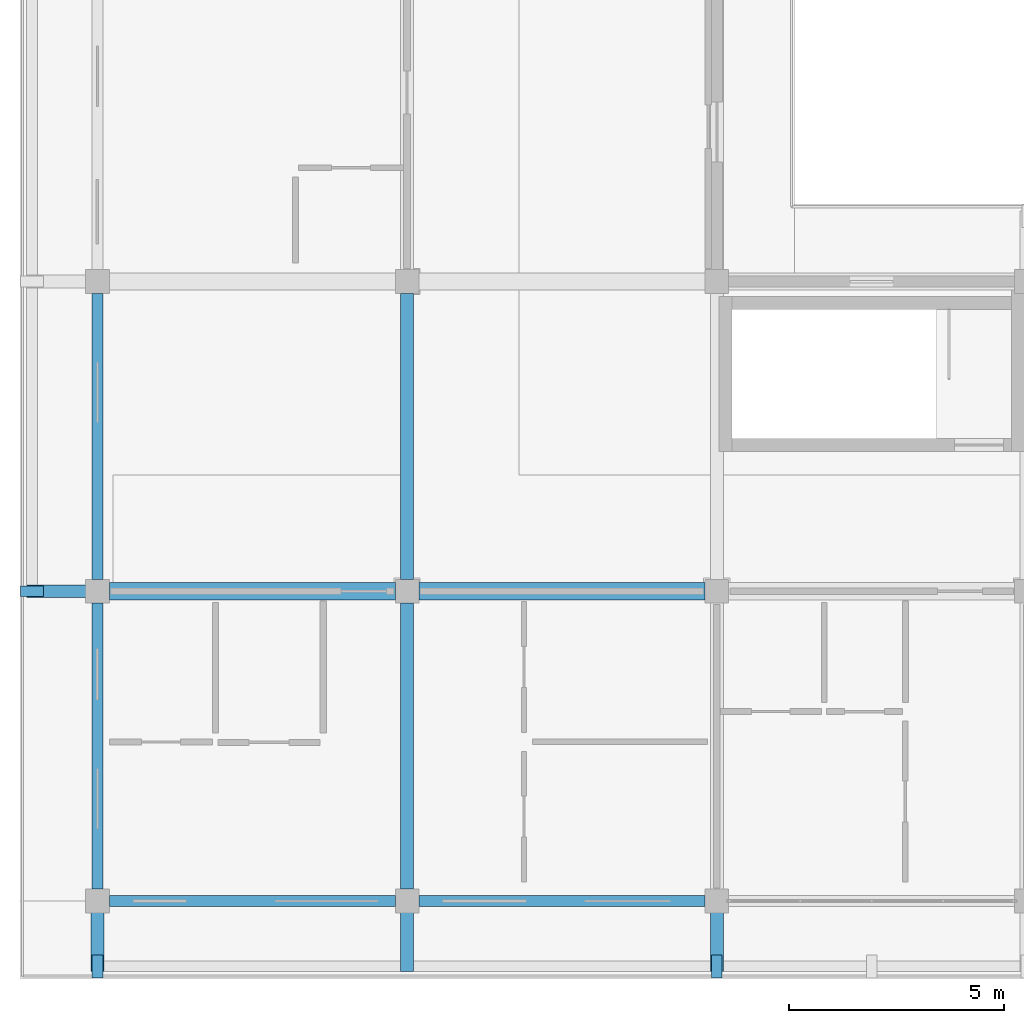
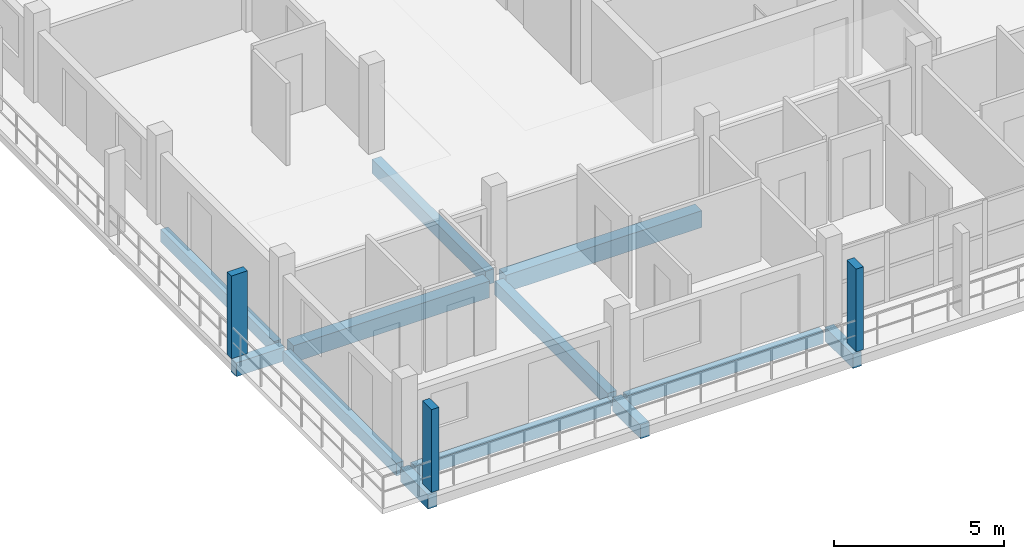
# One storey, part 3 of 65: 12 beams, 3 members.
"""IFC4 building model written with IfcOpenShell, lengths in metres."""

from ifc_helpers import new_model, si_unit, direction, frame, origin, origin_2d, place, context, subcontext, project, spatial, rectangle, extrude, material, material_profile, profile_set, type_object, element, save


model = new_model("IFC4")

# Units and contexts
model_context = context("Model", 3, precision=1e-05, world=origin(), true_north=direction((0.0, 1.0)))
body_context = subcontext(model_context, "Body", "Model", "MODEL_VIEW")
ifc_project = project(units=[si_unit("LENGTHUNIT", "METRE"), si_unit("AREAUNIT", "SQUARE_METRE"), si_unit("VOLUMEUNIT", "CUBIC_METRE"), si_unit("PLANEANGLEUNIT", "RADIAN"), si_unit("MASSUNIT", "GRAM", prefix="KILO")], contexts=[model_context])

# Site, building, storey
site_placement = place(None, origin())
site = spatial("IfcSite", under=ifc_project, at=site_placement, CompositionType="ELEMENT")
building_placement = place(site_placement, origin())
building = spatial("IfcBuilding", under=site, at=building_placement, Name="Suanplinth Sawtooth Commons", CompositionType="ELEMENT")
storey_placement = place(building_placement, frame((0.0, 0.0, 28.300048828125)))
storey = spatial("IfcBuildingStorey", under=building, at=storey_placement, Name="L08", CompositionType="ELEMENT", Elevation=28.300048828125)

# Beams
ifc_material_1 = material(Name="Precast concrete C40/50", Category="concrete")
ifc_material_profile_1 = material_profile(ifc_material_1, rectangle(XDim=0.39990234375, YDim=0.60009765625, at=origin_2d()), Name="PC-GDR 400x600")
ifc_profile_set_1 = profile_set([ifc_material_profile_1], Name="Precast concrete C40/50")
beam_type_1 = type_object("IfcBeamType", Name="B-05", PredefinedType="USERDEFINED", material=ifc_profile_set_1)
beam_1_placement = place(storey_placement, frame((0.27490234375, 7.199951171875, -0.510009765625), z_axis=(1.0, 0.0, 0.0), x_axis=(0.0, 1.0, 0.0)))
element("IfcBeam", 1, at=beam_1_placement, inside=storey, type_object=beam_type_1, Name="BMX-L08-D-0-1", ObjectType="GIRDER", PredefinedType="USERDEFINED", context=body_context, shape_type="SweptSolid", body=[
    extrude(rectangle(XDim=0.39990234375, YDim=0.60009765625, at=origin_2d()), origin(), (0.0, 0.0, 1.0), 6.650146484375),
])
beam_2_placement = place(storey_placement, frame((7.47509765625, 7.199951171875, -0.510009765625), z_axis=(1.0, 0.0, 0.0), x_axis=(0.0, 1.0, 0.0)))
element("IfcBeam", 2, at=beam_2_placement, inside=storey, type_object=beam_type_1, Name="BMX-L08-D-1-1", ObjectType="GIRDER", PredefinedType="USERDEFINED", context=body_context, shape_type="SweptSolid", body=[
    extrude(rectangle(XDim=0.39990234375, YDim=0.60009765625, at=origin_2d()), origin(), (0.0, 0.0, 1.0), 6.64990234375),
])
ifc_material_profile_2 = material_profile(ifc_material_1, rectangle(XDim=0.300048828125, YDim=0.5, at=origin_2d()), Name="PC-BM 300x500")
ifc_profile_set_2 = profile_set([ifc_material_profile_2], Name="Precast concrete C40/50")
beam_type_2 = type_object("IfcBeamType", Name="B-07", PredefinedType="BEAM", material=ifc_profile_set_2)
beam_3_placement = place(storey_placement, frame((7.199951171875, 0.27490234375, -0.4599609375), z_axis=(0.0, 1.0, 0.0), x_axis=(-1.0, 0.0, 0.0)))
element("IfcBeam", 3, at=beam_3_placement, inside=storey, type_object=beam_type_2, Name="BMY-L08-D-1-0", PredefinedType="BEAM", context=body_context, shape_type="SweptSolid", body=[
    extrude(rectangle(XDim=0.300048828125, YDim=0.5, at=origin_2d()), origin(), (0.0, 0.0, 1.0), 6.650146484375),
])
beam_4_placement = place(storey_placement, frame((7.199951171875, 7.47509765625, -0.4599609375), z_axis=(0.0, 1.0, 0.0), x_axis=(-1.0, 0.0, 0.0)))
element("IfcBeam", 4, at=beam_4_placement, inside=storey, type_object=beam_type_2, Name="BMY-L08-D-1-1", PredefinedType="BEAM", context=body_context, shape_type="SweptSolid", body=[
    extrude(rectangle(XDim=0.300048828125, YDim=0.5, at=origin_2d()), origin(), (0.0, 0.0, 1.0), 6.64990234375),
])
for number, where, z_axis, x_axis, name in (
    (5, (0.0, 0.0, -0.429931640625), (0.0, -1.0, 0.0), (1.0, 0.0, 0.0), "Balcony Outrigger L08-D-S-0"),
    (6, (7.199951171875, 0.0, -0.429931640625), (0.0, -1.0, 0.0), (1.0, 0.0, 0.0), "Balcony Outrigger L08-D-S-1"),
    (7, (14.39990234375, 0.0, -0.429931640625), (0.0, -1.0, 0.0), (1.0, 0.0, 0.0), "Balcony Outrigger L08-D-S-2"),
    (8, (0.0, 7.199951171875, -0.429931640625), (-1.0, 0.0, 0.0), (0.0, -1.0, 0.0), "Balcony Outrigger L08-D-W-1"),
):
    element("IfcBeam", number, at=place(storey_placement, frame(where, z_axis=z_axis, x_axis=x_axis)), inside=storey, type_object=beam_type_2, Name=name, PredefinedType="BEAM", context=body_context, shape_type="SweptSolid", body=[
        extrude(rectangle(XDim=0.300048828125, YDim=0.5, at=origin_2d()), origin(), (0.0, 0.0, 1.0), 1.639892578125),
    ])
ifc_material_profile_3 = material_profile(ifc_material_1, rectangle(XDim=0.25, YDim=0.449951171875, at=origin_2d()), Name="PC-SP 250x450")
ifc_profile_set_3 = profile_set([ifc_material_profile_3], Name="Precast concrete C40/50")
beam_type_3 = type_object("IfcBeamType", Name="B-09", PredefinedType="SPANDREL", material=ifc_profile_set_3)
beam_5_placement = place(storey_placement, frame((0.27490234375, 0.0, -0.43505859375), z_axis=(1.0, 0.0, 0.0), x_axis=(0.0, 1.0, 0.0)))
element("IfcBeam", 9, at=beam_5_placement, inside=storey, type_object=beam_type_3, Name="BMX-L08-D-0-0", PredefinedType="SPANDREL", context=body_context, shape_type="SweptSolid", body=[
    extrude(rectangle(XDim=0.25, YDim=0.449951171875, at=origin_2d()), origin(), (0.0, 0.0, 1.0), 6.650146484375),
])
beam_6_placement = place(storey_placement, frame((7.47509765625, 0.0, -0.43505859375), z_axis=(1.0, 0.0, 0.0), x_axis=(0.0, 1.0, 0.0)))
element("IfcBeam", 10, at=beam_6_placement, inside=storey, type_object=beam_type_3, Name="BMX-L08-D-1-0", PredefinedType="SPANDREL", context=body_context, shape_type="SweptSolid", body=[
    extrude(rectangle(XDim=0.25, YDim=0.449951171875, at=origin_2d()), origin(), (0.0, 0.0, 1.0), 6.64990234375),
])
beam_7_placement = place(storey_placement, frame((0.0, 0.27490234375, -0.43505859375), z_axis=(0.0, 1.0, 0.0), x_axis=(-1.0, 0.0, 0.0)))
element("IfcBeam", 11, at=beam_7_placement, inside=storey, type_object=beam_type_3, Name="BMY-L08-D-0-0", PredefinedType="SPANDREL", context=body_context, shape_type="SweptSolid", body=[
    extrude(rectangle(XDim=0.25, YDim=0.449951171875, at=origin_2d()), origin(), (0.0, 0.0, 1.0), 6.650146484375),
])
beam_8_placement = place(storey_placement, frame((0.0, 7.47509765625, -0.43505859375), z_axis=(0.0, 1.0, 0.0), x_axis=(-1.0, 0.0, 0.0)))
element("IfcBeam", 12, at=beam_8_placement, inside=storey, type_object=beam_type_3, Name="BMY-L08-D-0-1", PredefinedType="SPANDREL", context=body_context, shape_type="SweptSolid", body=[
    extrude(rectangle(XDim=0.25, YDim=0.449951171875, at=origin_2d()), origin(), (0.0, 0.0, 1.0), 6.64990234375),
])

# Members
ifc_material_2 = material(Name="Pigmented precast concrete C40/50", Category="concrete")
ifc_material_profile_4 = material_profile(ifc_material_2, rectangle(XDim=0.25, YDim=0.5400390625, at=origin_2d()), Name="PC-FIN 250x540")
ifc_profile_set_4 = profile_set([ifc_material_profile_4], Name="Pigmented precast concrete C40/50")
member_type = type_object("IfcMemberType", Name="M-11", PredefinedType="USERDEFINED", material=ifc_profile_set_4)
for number, where, z_axis, x_axis, name in (
    (13, (0.0, -1.52001953125, 0.0), (0.0, 0.0, 1.0), (1.0, 0.0, 0.0), "Upright Solar Blade L08-D-S-01"),
    (14, (14.39990234375, -1.52001953125, 0.0), (0.0, 0.0, 1.0), (1.0, 0.0, 0.0), "Upright Solar Blade L08-D-S-02"),
    (15, (-1.52001953125, 7.199951171875, 0.0), (0.0, 0.0, 1.0), (0.0, 1.0, 0.0), "Upright Solar Blade L08-D-W-09"),
):
    element("IfcMember", number, at=place(storey_placement, frame(where, z_axis=z_axis, x_axis=x_axis)), inside=storey, type_object=member_type, Name=name, ObjectType="SHADING FIN", PredefinedType="USERDEFINED", context=body_context, shape_type="SweptSolid", body=[
        extrude(rectangle(XDim=0.25, YDim=0.5400390625, at=origin_2d()), origin(), (0.0, 0.0, 1.0), 2.969970703125),
    ])

save(model, "model.ifc")
